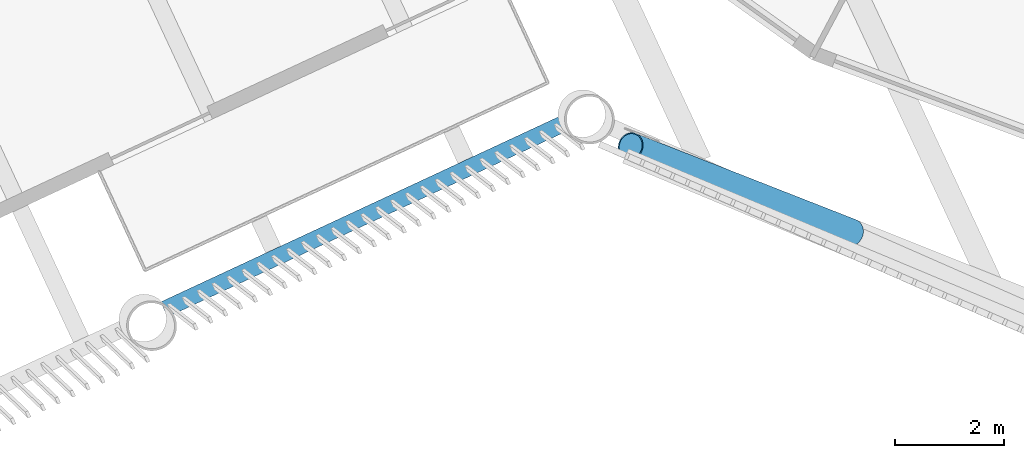
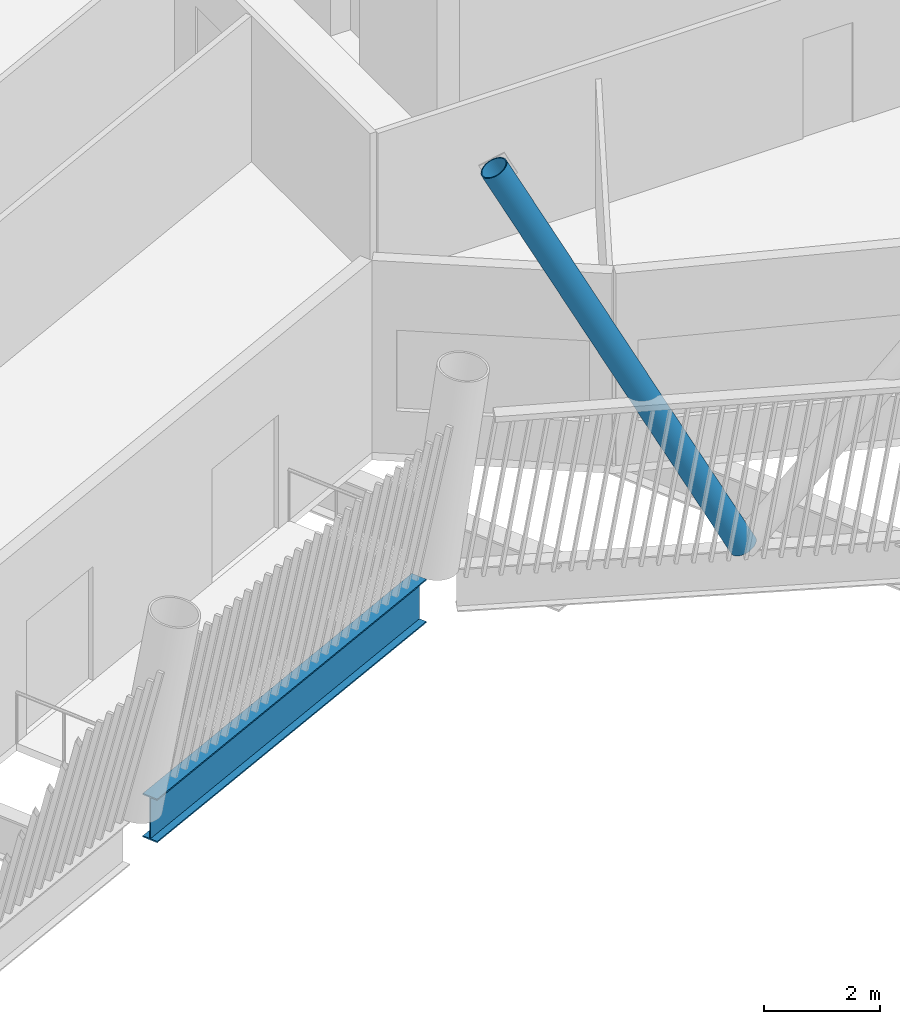
# One storey, part 3 of 36: 1 beam, 1 member.
"""IFC4 building model written with IfcOpenShell, lengths in metres."""

import ifcopenshell
import ifcopenshell.guid

model = None  # the IFC model being written
_history = None  # IfcOwnerHistory: only IFC2X3 demands one
_inside = {}  # id of a spatial element -> (the spatial element, [elements in it])
_under = {}  # id of a project, library or spatial element -> (it, [spatial elements below it])
_declared = {}  # id of a project -> (the project, [libraries it declares])
_typed = {}  # id of a type object -> (the type object, [elements of that type])
_made_of = {}  # id of a material, layer set ... -> (it, [elements and type objects made of it])


def new_model(schema):
    """Start an empty IFC model of exactly this schema.

    Asked for "IFC4X3", IfcOpenShell would pick the latest addendum, in which some entities
    have other attributes; the version numbers below select the first issue.
    IFC2X3 requires an IfcOwnerHistory on every rooted entity: one is made here for all.
    """
    global model, _history
    if schema == "IFC4X3":
        model = ifcopenshell.file(schema_version=(4, 3, 0, 0))
    else:
        model = ifcopenshell.file(schema=schema)
    _inside.clear()
    _under.clear()
    _declared.clear()
    _typed.clear()
    _made_of.clear()
    _history = None
    if model.schema == "IFC2X3":
        org = make("IfcOrganization", Name="unknown")
        user = make(
            "IfcPersonAndOrganization",
            ThePerson=make("IfcPerson", FamilyName="unknown"),
            TheOrganization=org,
        )
        app = make(
            "IfcApplication",
            ApplicationDeveloper=org,
            Version="unknown",
            ApplicationFullName="unknown",
            ApplicationIdentifier="unknown",
        )
        _history = make(
            "IfcOwnerHistory",
            OwningUser=user,
            OwningApplication=app,
            ChangeAction="ADDED",
            CreationDate=0,
        )
    return model


def make(cls, **values):
    """One entity of the class cls with the attributes given. An attribute that is None is left unset."""
    return model.create_entity(
        cls, **{name: value for name, value in values.items() if value is not None}
    )


def rooted(cls, **values):
    """An entity with a GlobalId (a new one), such as an element, a storey or a relation."""
    return make(cls, GlobalId=ifcopenshell.guid.new(), OwnerHistory=_history, **values)


def si_unit(unit_type, name, prefix=None):
    """IfcSIUnit, for example si_unit("LENGTHUNIT", "METRE", prefix="MILLI")."""
    return make("IfcSIUnit", UnitType=unit_type, Prefix=prefix, Name=name)


def assignment(units):
    """IfcUnitAssignment: the units of a project."""
    return None if units is None else make("IfcUnitAssignment", Units=units)


def point(xyz):
    """IfcCartesianPoint."""
    return None if xyz is None else make("IfcCartesianPoint", Coordinates=xyz)


def direction(xyz):
    """IfcDirection."""
    return None if xyz is None else make("IfcDirection", DirectionRatios=xyz)


def frame(location, z_axis=None, x_axis=None):
    """IfcAxis2Placement3D, a coordinate frame: its origin and axes. An axis left out is left unset."""
    return make(
        "IfcAxis2Placement3D",
        Location=point(location),
        Axis=direction(z_axis),
        RefDirection=direction(x_axis),
    )


def frame_2d(location, x_axis=None):
    """IfcAxis2Placement2D, a coordinate frame in the plane: its origin and x axis."""
    return make(
        "IfcAxis2Placement2D", Location=point(location), RefDirection=direction(x_axis)
    )


def origin():
    """The frame at (0, 0, 0) with its axes left unset."""
    return frame((0.0, 0.0, 0.0))


def origin_2d():
    """The frame at (0, 0) in the plane with its x axis left unset."""
    return frame_2d((0.0, 0.0))


def place(relative_to, where):
    """IfcLocalPlacement: puts the frame where relative to a parent placement (None: the world)."""
    return make(
        "IfcLocalPlacement", PlacementRelTo=relative_to, RelativePlacement=where
    )


def context(
    kind, dimensions, precision=None, world=None, true_north=None, identifier=None
):
    """IfcGeometricRepresentationContext, for example the 3D "Model" context."""
    return make(
        "IfcGeometricRepresentationContext",
        ContextIdentifier=identifier,
        ContextType=kind,
        CoordinateSpaceDimension=dimensions,
        Precision=precision,
        WorldCoordinateSystem=world,
        TrueNorth=true_north,
    )


def subcontext(parent, identifier, kind, view, scale=None):
    """IfcGeometricRepresentationSubContext, for example "Body" below "Model"."""
    return make(
        "IfcGeometricRepresentationSubContext",
        ContextIdentifier=identifier,
        ContextType=kind,
        ParentContext=parent,
        TargetScale=scale,
        TargetView=view,
    )


def project(units=None, contexts=None):
    """IfcProject with its units and contexts."""
    return rooted(
        "IfcProject",
        Name="project",
        RepresentationContexts=contexts,
        UnitsInContext=assignment(units),
    )


def spatial(cls, under=None, at=None, **own):
    """A site, building, storey or space (cls), placed at a placement, below another one or the project."""
    s = rooted(cls, ObjectPlacement=at, **own)
    if under is not None:
        _under.setdefault(under.id(), (under, []))[1].append(s)
    return s


def profile(cls, at=None, kind="AREA", **sizes):
    """A parametric profile (cls). Its sizes go by their IFC names, for example OverallWidth=200.0."""
    return make(cls, ProfileType=kind, Position=at, **sizes)


def hollow_circle(**sizes):
    """IfcCircleHollowProfileDef."""
    return profile("IfcCircleHollowProfileDef", **sizes)


def i_section(**sizes):
    """IfcIShapeProfileDef."""
    return profile("IfcIShapeProfileDef", **sizes)


def extrude(swept, where, along, depth):
    """IfcExtrudedAreaSolid: the profile swept, set in the frame where, extruded along a direction by depth."""
    return make(
        "IfcExtrudedAreaSolid",
        SweptArea=swept,
        Position=where,
        ExtrudedDirection=direction(along),
        Depth=depth,
    )


def shape(context_of_items, identifier, shape_type, items):
    """IfcShapeRepresentation: the items that make up one representation, for example the "Body"."""
    return make(
        "IfcShapeRepresentation",
        ContextOfItems=context_of_items,
        RepresentationIdentifier=identifier,
        RepresentationType=shape_type,
        Items=items,
    )


def material(Name=None, Category=None):
    """IfcMaterial."""
    return make("IfcMaterial", Name=Name, Category=Category)


def material_profile(
    of_material, cross_section, Name=None, Category=None, Priority=None
):
    """IfcMaterialProfile: a cross section and its material."""
    return make(
        "IfcMaterialProfile",
        Name=Name,
        Material=of_material,
        Profile=cross_section,
        Priority=Priority,
        Category=Category,
    )


def profile_set(profiles, Name=None, composite=None):
    """IfcMaterialProfileSet."""
    return make(
        "IfcMaterialProfileSet",
        Name=Name,
        MaterialProfiles=profiles,
        CompositeProfile=composite,
    )


def made_of(thing, what):
    """Note that an element or type object is made of a material, layer set ...; save() writes the relation."""
    if what is not None:
        _made_of.setdefault(what.id(), (what, []))[1].append(thing)
    return thing


def type_object(cls, material=None, **own):
    """A type object (cls), such as IfcWallType, which elements share."""
    return made_of(rooted(cls, **own), material)


def element(
    cls,
    number,
    at=None,
    inside=None,
    cuts=None,
    type_object=None,
    material=None,
    context=None,
    identifier="Body",
    shape_type=None,
    held_by="IfcProductDefinitionShape",
    body=None,
    shapes=None,
    **own,
):
    """One element of the class cls, such as IfcWall. Its Tag is "e" and its number.

    at: its placement. inside: the storey or other place that contains it. cuts: it is an
    opening in that element (IfcRelVoidsElement). A single representation is given by context,
    identifier, shape_type and body (its items); several are given by shapes. held_by: the class
    of the entity that holds the representations. save() writes the other relations.
    """
    e = rooted(cls, Tag="e%d" % number, ObjectPlacement=at, **own)
    if body is not None:
        shapes = [shape(context, identifier, shape_type, body)]
    if shapes is not None:
        e.Representation = make(held_by, Representations=shapes)
    if inside is not None:
        _inside.setdefault(inside.id(), (inside, []))[1].append(e)
    if cuts is not None:
        rooted(
            "IfcRelVoidsElement", RelatingBuildingElement=cuts, RelatedOpeningElement=e
        )
    if type_object is not None:
        _typed.setdefault(type_object.id(), (type_object, []))[1].append(e)
    return made_of(e, material)


def aggregate(whole, parts):
    """IfcRelAggregates: a whole, such as a stair, and the parts it consists of."""
    return rooted("IfcRelAggregates", RelatingObject=whole, RelatedObjects=parts)


def save(model, path):
    """Write the relations noted so far, then the file.

    IfcRelAggregates (storeys below a building ...), IfcRelContainedInSpatialStructure (elements
    in a storey), IfcRelDefinesByType, IfcRelAssociatesMaterial and IfcRelDeclares: one each for
    every whole, place, type object, material and project.
    """
    for whole, parts in _under.values():
        aggregate(whole, parts)
    for where, things in _inside.values():
        rooted(
            "IfcRelContainedInSpatialStructure",
            RelatedElements=things,
            RelatingStructure=where,
        )
    for kind, things in _typed.values():
        rooted("IfcRelDefinesByType", RelatedObjects=things, RelatingType=kind)
    for what, things in _made_of.values():
        rooted("IfcRelAssociatesMaterial", RelatedObjects=things, RelatingMaterial=what)
    for by, libraries in _declared.values():
        rooted("IfcRelDeclares", RelatingContext=by, RelatedDefinitions=libraries)
    model.write(path)


model = new_model("IFC4")

# Units and contexts
model_context = context("Model", 3, precision=1e-05, world=origin(), true_north=direction((0.0, 1.0)))
body_context = subcontext(model_context, "Body", "Model", "MODEL_VIEW")
ifc_project = project(units=[si_unit("LENGTHUNIT", "METRE"), si_unit("AREAUNIT", "SQUARE_METRE"), si_unit("VOLUMEUNIT", "CUBIC_METRE"), si_unit("PLANEANGLEUNIT", "RADIAN"), si_unit("MASSUNIT", "GRAM", prefix="KILO")], contexts=[model_context])

# Site, building, storey
site_placement = place(None, origin())
site = spatial("IfcSite", under=ifc_project, at=site_placement, CompositionType="ELEMENT")
building_placement = place(site_placement, origin())
building = spatial("IfcBuilding", under=site, at=building_placement, Name="Tarsis Ring Headquarters", CompositionType="ELEMENT")
storey_placement = place(building_placement, frame((0.0, 0.0, 386.0)))
storey = spatial("IfcBuildingStorey", under=building, at=storey_placement, Name="L91", CompositionType="ELEMENT", Elevation=386.0)

# Member
ifc_material = material(Name="Structural steel S355", Category="steel")
ifc_material_profile_1 = material_profile(ifc_material, hollow_circle(Radius=0.25390625, WallThickness=0.02001953125, at=origin_2d()), Name="CHS 508x20")
ifc_profile_set_1 = profile_set([ifc_material_profile_1], Name="Structural steel S355")
member_type = type_object("IfcMemberType", Name="XD X brace CHS 508x20", PredefinedType="BRACE", material=ifc_profile_set_1)
member_placement = place(storey_placement, frame((-11.48486328125, -26.132568359375, 0.0), z_axis=(-0.428150524323, 0.167786277571, 0.887994872497), x_axis=(-0.36486909667, -0.93105882859, 0.0)))
element("IfcMember", 1, at=member_placement, inside=storey, type_object=member_type, Name="X brace XD2", PredefinedType="BRACE", context=body_context, shape_type="SweptSolid", body=[
    extrude(hollow_circle(Radius=0.25390625, WallThickness=0.02001953125, at=origin_2d()), origin(), (0.0, 0.0, 1.0), 9.45947265625),
])

# Beam
ifc_material_profile_2 = material_profile(ifc_material, i_section(OverallWidth=0.3046875, OverallDepth=0.91943359375, WebThickness=0.017333984375, FlangeThickness=0.02783203125, at=origin_2d()), Name="W36x170")
ifc_profile_set_2 = profile_set([ifc_material_profile_2], Name="Structural steel S355")
beam_type = type_object("IfcBeamType", Name="XG Ring girder W36x170", PredefinedType="BEAM", material=ifc_profile_set_2)
beam_placement = place(storey_placement, frame((-24.11328125, -27.54833984375, -0.459716796875), z_axis=(0.906610365193, 0.4219687734, 0.0), x_axis=(-0.4219687734, 0.906610365193, 0.0)))
element("IfcBeam", 2, at=beam_placement, inside=storey, type_object=beam_type, Name="Ring girder XG4", PredefinedType="BEAM", context=body_context, shape_type="SweptSolid", body=[
    extrude(i_section(OverallWidth=0.3046875, OverallDepth=0.91943359375, WebThickness=0.017333984375, FlangeThickness=0.02783203125, at=origin_2d()), origin(), (0.0, 0.0, 1.0), 8.0791015625),
])

save(model, "model.ifc")
